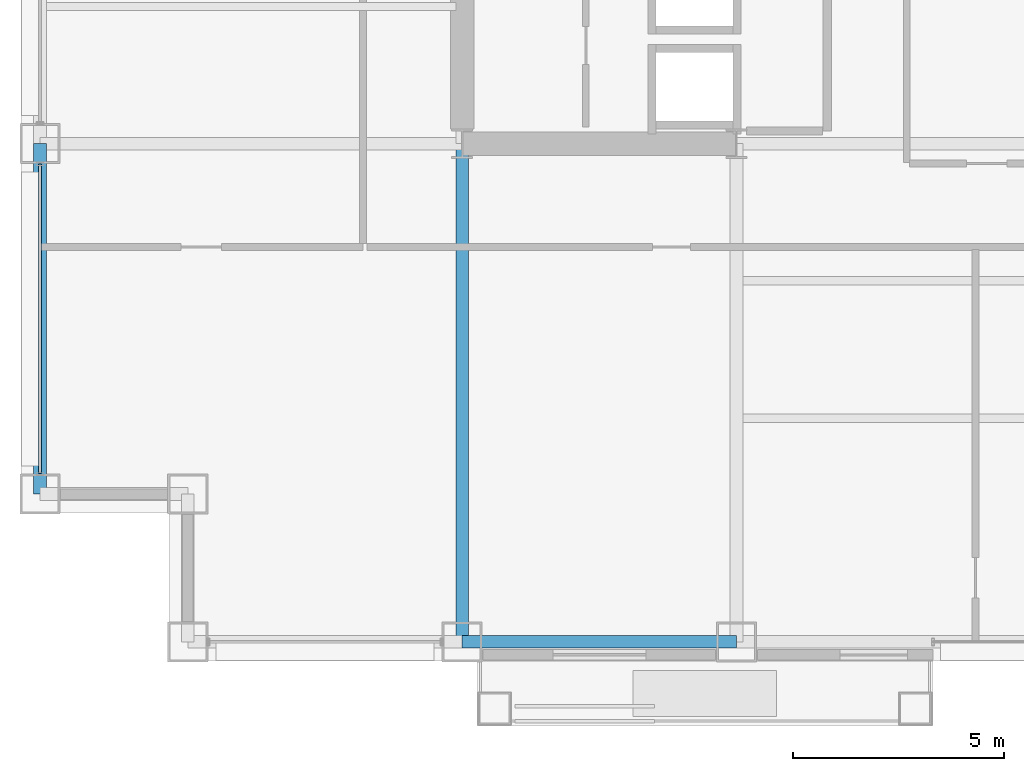
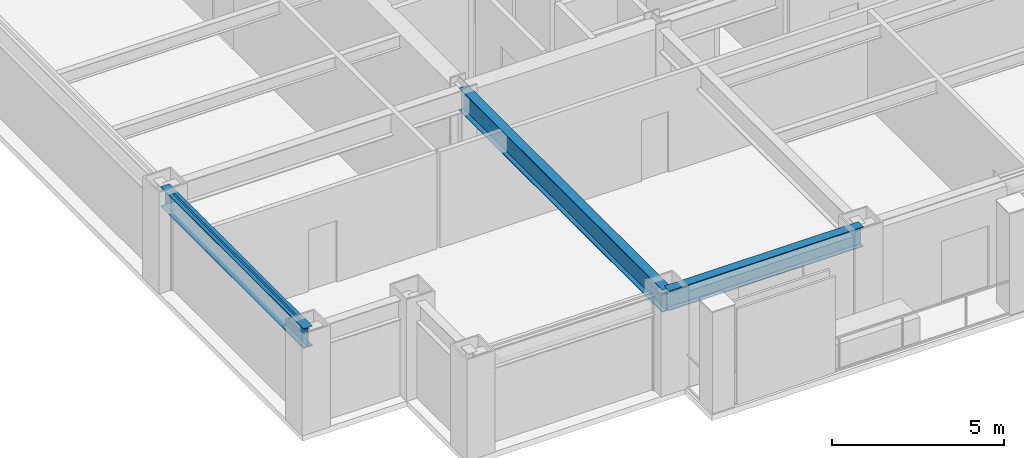
# One storey, part 3 of 31: 3 beams, 1 member, 1 element without a shape of its own.
"""IFC4 building model written with IfcOpenShell, lengths in metres."""

import ifcopenshell
import ifcopenshell.guid

model = None  # the IFC model being written
_history = None  # IfcOwnerHistory: only IFC2X3 demands one
_inside = {}  # id of a spatial element -> (the spatial element, [elements in it])
_under = {}  # id of a project, library or spatial element -> (it, [spatial elements below it])
_declared = {}  # id of a project -> (the project, [libraries it declares])
_typed = {}  # id of a type object -> (the type object, [elements of that type])
_made_of = {}  # id of a material, layer set ... -> (it, [elements and type objects made of it])


def new_model(schema):
    """Start an empty IFC model of exactly this schema.

    Asked for "IFC4X3", IfcOpenShell would pick the latest addendum, in which some entities
    have other attributes; the version numbers below select the first issue.
    IFC2X3 requires an IfcOwnerHistory on every rooted entity: one is made here for all.
    """
    global model, _history
    if schema == "IFC4X3":
        model = ifcopenshell.file(schema_version=(4, 3, 0, 0))
    else:
        model = ifcopenshell.file(schema=schema)
    _inside.clear()
    _under.clear()
    _declared.clear()
    _typed.clear()
    _made_of.clear()
    _history = None
    if model.schema == "IFC2X3":
        org = make("IfcOrganization", Name="unknown")
        user = make(
            "IfcPersonAndOrganization",
            ThePerson=make("IfcPerson", FamilyName="unknown"),
            TheOrganization=org,
        )
        app = make(
            "IfcApplication",
            ApplicationDeveloper=org,
            Version="unknown",
            ApplicationFullName="unknown",
            ApplicationIdentifier="unknown",
        )
        _history = make(
            "IfcOwnerHistory",
            OwningUser=user,
            OwningApplication=app,
            ChangeAction="ADDED",
            CreationDate=0,
        )
    return model


def make(cls, **values):
    """One entity of the class cls with the attributes given. An attribute that is None is left unset."""
    return model.create_entity(
        cls, **{name: value for name, value in values.items() if value is not None}
    )


def rooted(cls, **values):
    """An entity with a GlobalId (a new one), such as an element, a storey or a relation."""
    return make(cls, GlobalId=ifcopenshell.guid.new(), OwnerHistory=_history, **values)


def si_unit(unit_type, name, prefix=None):
    """IfcSIUnit, for example si_unit("LENGTHUNIT", "METRE", prefix="MILLI")."""
    return make("IfcSIUnit", UnitType=unit_type, Prefix=prefix, Name=name)


def assignment(units):
    """IfcUnitAssignment: the units of a project."""
    return None if units is None else make("IfcUnitAssignment", Units=units)


def point(xyz):
    """IfcCartesianPoint."""
    return None if xyz is None else make("IfcCartesianPoint", Coordinates=xyz)


def direction(xyz):
    """IfcDirection."""
    return None if xyz is None else make("IfcDirection", DirectionRatios=xyz)


def frame(location, z_axis=None, x_axis=None):
    """IfcAxis2Placement3D, a coordinate frame: its origin and axes. An axis left out is left unset."""
    return make(
        "IfcAxis2Placement3D",
        Location=point(location),
        Axis=direction(z_axis),
        RefDirection=direction(x_axis),
    )


def frame_2d(location, x_axis=None):
    """IfcAxis2Placement2D, a coordinate frame in the plane: its origin and x axis."""
    return make(
        "IfcAxis2Placement2D", Location=point(location), RefDirection=direction(x_axis)
    )


def origin():
    """The frame at (0, 0, 0) with its axes left unset."""
    return frame((0.0, 0.0, 0.0))


def origin_2d():
    """The frame at (0, 0) in the plane with its x axis left unset."""
    return frame_2d((0.0, 0.0))


def place(relative_to, where):
    """IfcLocalPlacement: puts the frame where relative to a parent placement (None: the world)."""
    return make(
        "IfcLocalPlacement", PlacementRelTo=relative_to, RelativePlacement=where
    )


def context(
    kind, dimensions, precision=None, world=None, true_north=None, identifier=None
):
    """IfcGeometricRepresentationContext, for example the 3D "Model" context."""
    return make(
        "IfcGeometricRepresentationContext",
        ContextIdentifier=identifier,
        ContextType=kind,
        CoordinateSpaceDimension=dimensions,
        Precision=precision,
        WorldCoordinateSystem=world,
        TrueNorth=true_north,
    )


def subcontext(parent, identifier, kind, view, scale=None):
    """IfcGeometricRepresentationSubContext, for example "Body" below "Model"."""
    return make(
        "IfcGeometricRepresentationSubContext",
        ContextIdentifier=identifier,
        ContextType=kind,
        ParentContext=parent,
        TargetScale=scale,
        TargetView=view,
    )


def project(units=None, contexts=None):
    """IfcProject with its units and contexts."""
    return rooted(
        "IfcProject",
        Name="project",
        RepresentationContexts=contexts,
        UnitsInContext=assignment(units),
    )


def spatial(cls, under=None, at=None, **own):
    """A site, building, storey or space (cls), placed at a placement, below another one or the project."""
    s = rooted(cls, ObjectPlacement=at, **own)
    if under is not None:
        _under.setdefault(under.id(), (under, []))[1].append(s)
    return s


def profile(cls, at=None, kind="AREA", **sizes):
    """A parametric profile (cls). Its sizes go by their IFC names, for example OverallWidth=200.0."""
    return make(cls, ProfileType=kind, Position=at, **sizes)


def hollow_rectangle(**sizes):
    """IfcRectangleHollowProfileDef."""
    return profile("IfcRectangleHollowProfileDef", **sizes)


def i_section(**sizes):
    """IfcIShapeProfileDef."""
    return profile("IfcIShapeProfileDef", **sizes)


def extrude(swept, where, along, depth):
    """IfcExtrudedAreaSolid: the profile swept, set in the frame where, extruded along a direction by depth."""
    return make(
        "IfcExtrudedAreaSolid",
        SweptArea=swept,
        Position=where,
        ExtrudedDirection=direction(along),
        Depth=depth,
    )


def shape(context_of_items, identifier, shape_type, items):
    """IfcShapeRepresentation: the items that make up one representation, for example the "Body"."""
    return make(
        "IfcShapeRepresentation",
        ContextOfItems=context_of_items,
        RepresentationIdentifier=identifier,
        RepresentationType=shape_type,
        Items=items,
    )


def material(Name=None, Category=None):
    """IfcMaterial."""
    return make("IfcMaterial", Name=Name, Category=Category)


def layer(
    of_material, thickness, ventilated=None, Name=None, Category=None, Priority=None
):
    """IfcMaterialLayer: one layer of a wall or slab, of a material (None: an air gap)."""
    return make(
        "IfcMaterialLayer",
        Material=of_material,
        LayerThickness=thickness,
        IsVentilated=ventilated,
        Name=Name,
        Category=Category,
        Priority=Priority,
    )


def layer_set(layers, Name=None):
    """IfcMaterialLayerSet."""
    return make("IfcMaterialLayerSet", MaterialLayers=layers, LayerSetName=Name)


def material_profile(
    of_material, cross_section, Name=None, Category=None, Priority=None
):
    """IfcMaterialProfile: a cross section and its material."""
    return make(
        "IfcMaterialProfile",
        Name=Name,
        Material=of_material,
        Profile=cross_section,
        Priority=Priority,
        Category=Category,
    )


def profile_set(profiles, Name=None, composite=None):
    """IfcMaterialProfileSet."""
    return make(
        "IfcMaterialProfileSet",
        Name=Name,
        MaterialProfiles=profiles,
        CompositeProfile=composite,
    )


def made_of(thing, what):
    """Note that an element or type object is made of a material, layer set ...; save() writes the relation."""
    if what is not None:
        _made_of.setdefault(what.id(), (what, []))[1].append(thing)
    return thing


def type_object(cls, material=None, **own):
    """A type object (cls), such as IfcWallType, which elements share."""
    return made_of(rooted(cls, **own), material)


def element(
    cls,
    number,
    at=None,
    inside=None,
    cuts=None,
    type_object=None,
    material=None,
    context=None,
    identifier="Body",
    shape_type=None,
    held_by="IfcProductDefinitionShape",
    body=None,
    shapes=None,
    **own,
):
    """One element of the class cls, such as IfcWall. Its Tag is "e" and its number.

    at: its placement. inside: the storey or other place that contains it. cuts: it is an
    opening in that element (IfcRelVoidsElement). A single representation is given by context,
    identifier, shape_type and body (its items); several are given by shapes. held_by: the class
    of the entity that holds the representations. save() writes the other relations.
    """
    e = rooted(cls, Tag="e%d" % number, ObjectPlacement=at, **own)
    if body is not None:
        shapes = [shape(context, identifier, shape_type, body)]
    if shapes is not None:
        e.Representation = make(held_by, Representations=shapes)
    if inside is not None:
        _inside.setdefault(inside.id(), (inside, []))[1].append(e)
    if cuts is not None:
        rooted(
            "IfcRelVoidsElement", RelatingBuildingElement=cuts, RelatedOpeningElement=e
        )
    if type_object is not None:
        _typed.setdefault(type_object.id(), (type_object, []))[1].append(e)
    return made_of(e, material)


def aggregate(whole, parts):
    """IfcRelAggregates: a whole, such as a stair, and the parts it consists of."""
    return rooted("IfcRelAggregates", RelatingObject=whole, RelatedObjects=parts)


def save(model, path):
    """Write the relations noted so far, then the file.

    IfcRelAggregates (storeys below a building ...), IfcRelContainedInSpatialStructure (elements
    in a storey), IfcRelDefinesByType, IfcRelAssociatesMaterial and IfcRelDeclares: one each for
    every whole, place, type object, material and project.
    """
    for whole, parts in _under.values():
        aggregate(whole, parts)
    for where, things in _inside.values():
        rooted(
            "IfcRelContainedInSpatialStructure",
            RelatedElements=things,
            RelatingStructure=where,
        )
    for kind, things in _typed.values():
        rooted("IfcRelDefinesByType", RelatedObjects=things, RelatingType=kind)
    for what, things in _made_of.values():
        rooted("IfcRelAssociatesMaterial", RelatedObjects=things, RelatingMaterial=what)
    for by, libraries in _declared.values():
        rooted("IfcRelDeclares", RelatingContext=by, RelatedDefinitions=libraries)
    model.write(path)


model = new_model("IFC4")

# Units and contexts
model_context = context("Model", 3, precision=1e-05, world=origin(), true_north=direction((0.0, 1.0)))
body_context = subcontext(model_context, "Body", "Model", "MODEL_VIEW")
ifc_project = project(units=[si_unit("LENGTHUNIT", "METRE"), si_unit("AREAUNIT", "SQUARE_METRE"), si_unit("VOLUMEUNIT", "CUBIC_METRE"), si_unit("PLANEANGLEUNIT", "RADIAN"), si_unit("MASSUNIT", "GRAM", prefix="KILO")], contexts=[model_context])

# Site, building, storey
site_placement = place(None, origin())
site = spatial("IfcSite", under=ifc_project, at=site_placement, CompositionType="ELEMENT")
building_placement = place(site_placement, origin())
building = spatial("IfcBuilding", under=site, at=building_placement, Name="Brelmoor Portico Tower", CompositionType="ELEMENT")
storey_placement = place(building_placement, frame((0.0, 0.0, 31.199951171875)))
storey = spatial("IfcBuildingStorey", under=building, at=storey_placement, Name="L07", CompositionType="ELEMENT", Elevation=31.199951171875)

# Beams
ifc_material_1 = material(Name="Steel Q355B", Category="steel")
ifc_material_profile_1 = material_profile(ifc_material_1, i_section(OverallWidth=0.300048828125, OverallDepth=0.800048828125, WebThickness=0.013916015625, FlangeThickness=0.02587890625, at=origin_2d()), Name="HN 800x300x14x26")
ifc_profile_set_1 = profile_set([ifc_material_profile_1], Name="Steel Q355B")
beam_type_1 = type_object("IfcBeamType", Name="BM-PG-800", PredefinedType="BEAM", material=ifc_profile_set_1)
beam_1_placement = place(storey_placement, frame((-14.550048828125, -21.550048828125, 3.0), z_axis=(0.0, 1.0, 0.0), x_axis=(-1.0, 0.0, 0.0)))
element("IfcBeam", 1, at=beam_1_placement, inside=storey, type_object=beam_type_1, Name="L07 Primary Floor Girder PG-03", PredefinedType="BEAM", context=body_context, shape_type="SweptSolid", body=[
    extrude(i_section(OverallWidth=0.300048828125, OverallDepth=0.800048828125, WebThickness=0.013916015625, FlangeThickness=0.02587890625, at=origin_2d()), origin(), (0.0, 0.0, 1.0), 11.800048828125),
])
ifc_material_profile_2 = material_profile(ifc_material_1, i_section(OverallWidth=0.300048828125, OverallDepth=0.699951171875, WebThickness=0.012939453125, FlangeThickness=0.02392578125, at=origin_2d()), Name="HN 700x300x13x24")
ifc_profile_set_2 = profile_set([ifc_material_profile_2], Name="Steel Q355B")
beam_type_2 = type_object("IfcBeamType", Name="BM-SP-700", PredefinedType="SPANDREL", material=ifc_profile_set_2)
beam_2_placement = place(storey_placement, frame((-14.550048828125, -21.550048828125, 3.050048828125), z_axis=(1.0, 0.0, 0.0), x_axis=(0.0, 1.0, 0.0)))
element("IfcBeam", 2, at=beam_2_placement, inside=storey, type_object=beam_type_2, Name="L07 Perimeter Spandrel Beam SP-02", PredefinedType="SPANDREL", context=body_context, shape_type="SweptSolid", body=[
    extrude(i_section(OverallWidth=0.300048828125, OverallDepth=0.699951171875, WebThickness=0.012939453125, FlangeThickness=0.02392578125, at=origin_2d()), origin(), (0.0, 0.0, 1.0), 6.5),
])
beam_3_placement = place(storey_placement, frame((-24.550048828125, -18.050048828125, 3.050048828125), z_axis=(0.0, 1.0, 0.0), x_axis=(-1.0, 0.0, 0.0)))
element("IfcBeam", 3, at=beam_3_placement, inside=storey, type_object=beam_type_2, Name="L07 Perimeter Spandrel Beam SP-15", PredefinedType="SPANDREL", context=body_context, shape_type="SweptSolid", body=[
    extrude(i_section(OverallWidth=0.300048828125, OverallDepth=0.699951171875, WebThickness=0.012939453125, FlangeThickness=0.02392578125, at=origin_2d()), origin(), (0.0, 0.0, 1.0), 8.300048828125),
])

# Curtain wall, member
ifc_material_2 = material(Name="Anodised Aluminium Alloy 6063-T6", Category="aluminium")
ifc_layer = layer(ifc_material_2, 0.179931640625)
ifc_layer_set = layer_set([ifc_layer], Name="Anodised Aluminium Alloy 6063-T6")
curtain_wall_type = type_object("IfcCurtainWallType", Name="CW-TOWER-Z1-XB", PredefinedType="NOTDEFINED", material=ifc_layer_set)
curtain_wall_placement = place(storey_placement, origin())
curtain_wall = element("IfcCurtainWall", 4, at=curtain_wall_placement, inside=storey, type_object=curtain_wall_type, Name="L07 Curtain Wall CW-L07-03-1", PredefinedType="NOTDEFINED")
ifc_material_profile_3 = material_profile(ifc_material_2, hollow_rectangle(XDim=0.06494140625, YDim=0.139892578125, WallThickness=0.00390625, at=origin_2d()), Name="ALU TRANSOM 65x140")
ifc_profile_set_3 = profile_set([ifc_material_profile_3], Name="Anodised Aluminium Alloy 6063-T6")
member_type = type_object("IfcMemberType", Name="MB-CW-TRAN-140", PredefinedType="USERDEFINED", material=ifc_profile_set_3)
member_placement = place(storey_placement, frame((-24.550048828125, -17.56494140625, 3.330078125), z_axis=(0.0, 1.0, 0.0), x_axis=(-1.0, 0.0, 0.0)))
member = element("IfcMember", 5, at=member_placement, type_object=member_type, Name="CW-L07-03-1 Transom 1-00", ObjectType="TRANSOM", PredefinedType="USERDEFINED", context=body_context, shape_type="SweptSolid", body=[
    extrude(hollow_rectangle(XDim=0.06494140625, YDim=0.139892578125, WallThickness=0.00390625, at=origin_2d()), origin(), (0.0, 0.0, 1.0), 7.329833984375),
])
aggregate(curtain_wall, [member])

save(model, "model.ifc")
